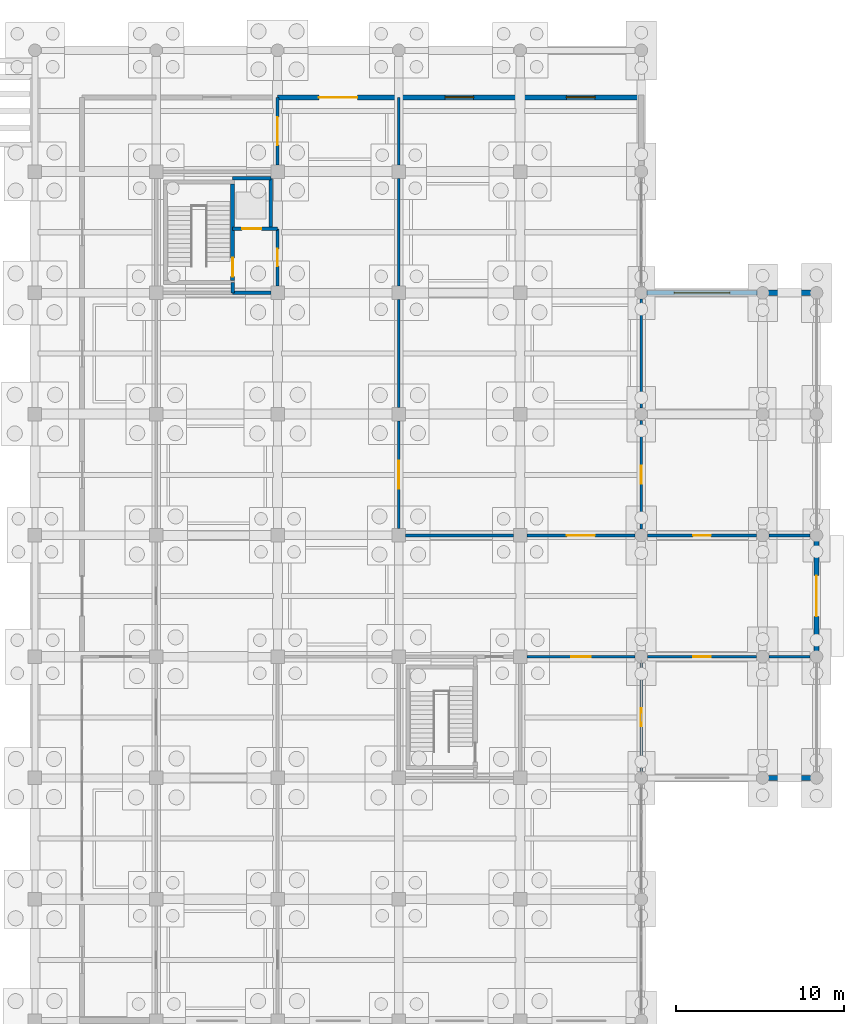
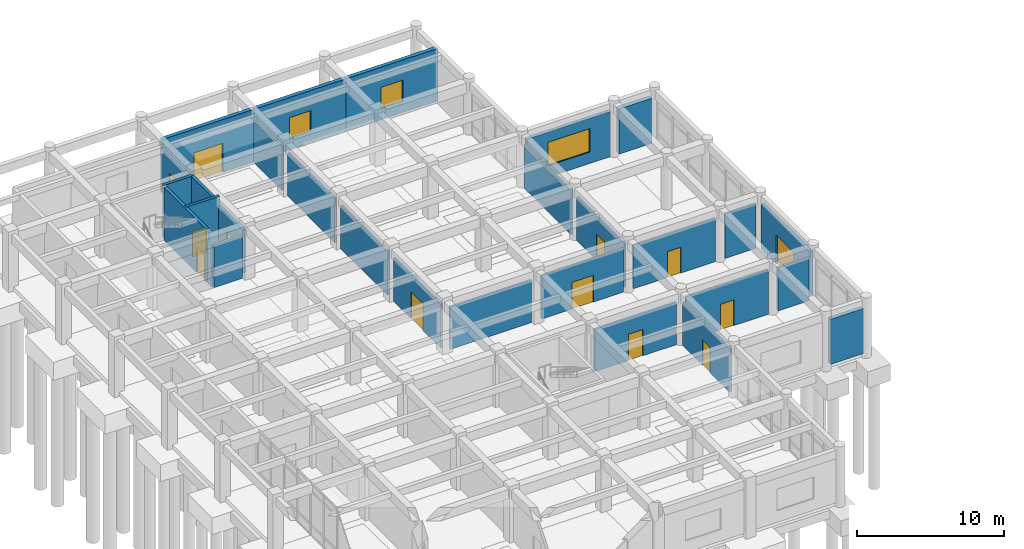
# One storey, part 68 of 79: 29 walls, 13 doors, 3 windows, 16 openings.
"""IFC4 building model written with IfcOpenShell, lengths in metres."""

from ifc_helpers import new_model, si_unit, direction, frame, frame_2d, origin, place, context, subcontext, project, spatial, rectangle, extrude, material, layer, layer_set, type_object, element, fill, save


model = new_model("IFC4")

# Units and contexts
model_context = context("Model", 3, precision=1e-05, world=origin(), true_north=direction((0.0, 1.0)))
body_context = subcontext(model_context, "Body", "Model", "MODEL_VIEW")
ifc_project = project(units=[si_unit("LENGTHUNIT", "METRE"), si_unit("AREAUNIT", "SQUARE_METRE"), si_unit("VOLUMEUNIT", "CUBIC_METRE"), si_unit("PLANEANGLEUNIT", "RADIAN"), si_unit("MASSUNIT", "GRAM", prefix="KILO")], contexts=[model_context])

# Site, building, storey
site_placement = place(None, origin())
site = spatial("IfcSite", under=ifc_project, at=site_placement, CompositionType="ELEMENT")
building_placement = place(site_placement, origin())
building = spatial("IfcBuilding", under=site, at=building_placement, Name="Kavelor Marine Aquarium", CompositionType="ELEMENT")
storey_placement = place(building_placement, origin())
storey = spatial("IfcBuildingStorey", under=building, at=storey_placement, Name="L00", CompositionType="ELEMENT", Elevation=0.0)

# Wall
ifc_material_1 = material(Name="Concrete C45/55", Category="concrete")
ifc_layer_1 = layer(ifc_material_1, 0.320068359375)
ifc_layer_set_1 = layer_set([ifc_layer_1], Name="WL-EX2")
wall_type_1 = type_object("IfcWallType", Name="WL-EX2", PredefinedType="STANDARD", material=ifc_layer_set_1)
wall_1_placement = place(storey_placement, frame((164.489990234375, 67.60009765625, 0.0), z_axis=(0.0, 0.0, 1.0), x_axis=(-1.0, 0.0, 0.0)))
element("IfcWall", 1, at=wall_1_placement, inside=storey, type_object=wall_type_1, Name="ew:x:L00:22_09", PredefinedType="STANDARD", context=body_context, shape_type="SweptSolid", body=[
    extrude(rectangle(XDim=2.580078125, YDim=0.320068359375, at=frame_2d((1.2900390625, 0.0))), origin(), (0.0, 0.0, 1.0), 3.75),
])

# Wall, opening, door
wall_2_placement = place(storey_placement, frame((132.800048828125, 108.0, 0.0), z_axis=(0.0, 0.0, 1.0), x_axis=(1.0, 0.0, 0.0)))
wall_2 = element("IfcWall", 2, at=wall_2_placement, inside=storey, type_object=wall_type_1, Name="ew:arc:v6n:18", PredefinedType="STANDARD", context=body_context, shape_type="SweptSolid", body=[
    extrude(rectangle(XDim=7.199951171875, YDim=0.300048828125, at=frame_2d((3.60009765625, 0.0))), origin(), (0.0, 0.0, 1.0), 4.3701171875),
])
opening_1_placement = place(wall_2_placement, frame((2.4599609375, 0.0, 0.0)))
opening_1 = element("IfcOpeningElement", 3, at=opening_1_placement, cuts=wall_2, Name="Opening ED11", PredefinedType="OPENING", context=body_context, shape_type="SweptSolid", body=[
    extrude(rectangle(XDim=2.280029296875, YDim=2.39990234375, at=frame_2d((1.14013671875, 1.199951171875))), frame((0.0, 0.159912109375, 0.0), z_axis=(0.0, -1.0, 0.0), x_axis=(1.0, 0.0, 0.0)), (0.0, 0.0, 1.0), 0.320049),
])
ifc_material_2 = material(Name="Marine-Grade Anodised Aluminium and Laminated Safety Glass", Category="aluminium")
door_type_1 = type_object("IfcDoorType", Name="DR-ED11", OperationType="NOTDEFINED", PredefinedType="DOOR", material=ifc_material_2)
door_1_placement = place(opening_1_placement, origin())
door_1 = element("IfcDoor", 4, at=door_1_placement, inside=storey, type_object=door_type_1, Name="Research North Arcade Entrance Door ED11", OperationType="DOUBLE_DOOR_SINGLE_SWING", OverallHeight=2.39990234375, OverallWidth=2.280029296875, PredefinedType="DOOR", context=body_context, shape_type="SweptSolid", body=[
    extrude(rectangle(XDim=2.280029296875, YDim=2.39990234375, at=frame_2d((1.14013671875, 1.199951171875))), frame((0.0, 0.02490234375, 0.0), z_axis=(0.0, -1.0, 0.0), x_axis=(1.0, 0.0, 0.0)), (0.0, 0.0, 1.0), 0.050048828125),
])
fill(opening_1, door_1)

# Wall, opening, window
wall_3_placement = place(storey_placement, frame((140.0, 108.0, 0.0), z_axis=(0.0, 0.0, 1.0), x_axis=(1.0, 0.0, 0.0)))
wall_3 = element("IfcWall", 5, at=wall_3_placement, inside=storey, type_object=wall_type_1, Name="ew:arc:v6n:19", PredefinedType="STANDARD", context=body_context, shape_type="SweptSolid", body=[
    extrude(rectangle(XDim=7.199951171875, YDim=0.300048828125, at=frame_2d((3.60009765625, 0.0))), origin(), (0.0, 0.0, 1.0), 4.3701171875),
])
opening_2_placement = place(wall_3_placement, frame((2.75, 0.0, 0.949951171875)))
opening_2 = element("IfcOpeningElement", 6, at=opening_2_placement, cuts=wall_3, Name="Opening W07", PredefinedType="OPENING", context=body_context, shape_type="SweptSolid", body=[
    extrude(rectangle(XDim=1.699951171875, YDim=1.75, at=frame_2d((0.85009765625, 0.875))), frame((0.0, 0.159912109375, 0.0), z_axis=(0.0, -1.0, 0.0), x_axis=(1.0, 0.0, 0.0)), (0.0, 0.0, 1.0), 0.320049),
])
ifc_material_3 = material(Name="Anodised Aluminium Frame with Low-E Double Glazing", Category="aluminium")
window_type_1 = type_object("IfcWindowType", Name="WIN-W07", PartitioningType="SINGLE_PANEL", PredefinedType="WINDOW", material=ifc_material_3)
window_1_placement = place(opening_2_placement, origin())
window_1 = element("IfcWindow", 7, at=window_1_placement, inside=storey, type_object=window_type_1, Name="win:arc:v6n:19", OverallHeight=1.75, OverallWidth=1.699951171875, PartitioningType="SINGLE_PANEL", PredefinedType="WINDOW", context=body_context, shape_type="SweptSolid", body=[
    extrude(rectangle(XDim=1.699951171875, YDim=1.75, at=frame_2d((0.85009765625, 0.875))), frame((0.0, 0.030029296875, 0.0), z_axis=(0.0, -1.0, 0.0), x_axis=(1.0, 0.0, 0.0)), (0.0, 0.0, 1.0), 0.06005859375),
])
fill(opening_2, window_1)

wall_4_placement = place(storey_placement, frame((147.199951171875, 108.0, 0.0), z_axis=(0.0, 0.0, 1.0), x_axis=(1.0, 0.0, 0.0)))
wall_4 = element("IfcWall", 8, at=wall_4_placement, inside=storey, type_object=wall_type_1, Name="ew:arc:v6n:20", PredefinedType="STANDARD", context=body_context, shape_type="SweptSolid", body=[
    extrude(rectangle(XDim=7.199951171875, YDim=0.300048828125, at=frame_2d((3.60009765625, 0.0))), origin(), (0.0, 0.0, 1.0), 4.3701171875),
])
opening_3_placement = place(wall_4_placement, frame((2.75, 0.0, 0.949951171875)))
opening_3 = element("IfcOpeningElement", 9, at=opening_3_placement, cuts=wall_4, Name="Opening W07", PredefinedType="OPENING", context=body_context, shape_type="SweptSolid", body=[
    extrude(rectangle(XDim=1.699951171875, YDim=1.75, at=frame_2d((0.85009765625, 0.875))), frame((0.0, 0.159912109375, 0.0), z_axis=(0.0, -1.0, 0.0), x_axis=(1.0, 0.0, 0.0)), (0.0, 0.0, 1.0), 0.320049),
])
window_2_placement = place(opening_3_placement, origin())
window_2 = element("IfcWindow", 10, at=window_2_placement, inside=storey, type_object=window_type_1, Name="win:arc:v6n:20", OverallHeight=1.75, OverallWidth=1.699951171875, PartitioningType="SINGLE_PANEL", PredefinedType="WINDOW", context=body_context, shape_type="SweptSolid", body=[
    extrude(rectangle(XDim=1.699951171875, YDim=1.75, at=frame_2d((0.85009765625, 0.875))), frame((0.0, 0.030029296875, 0.0), z_axis=(0.0, -1.0, 0.0), x_axis=(1.0, 0.0, 0.0)), (0.0, 0.0, 1.0), 0.06005859375),
])
fill(opening_3, window_2)

# Wall, opening, door
ifc_material_4 = material(Name="Concrete C40/50", Category="concrete")
ifc_layer_2 = layer(ifc_material_4, 0.280029296875)
ifc_layer_set_2 = layer_set([ifc_layer_2], Name="WL-EX4")
wall_type_2 = type_object("IfcWallType", Name="WL-EX4", PredefinedType="STANDARD", material=ifc_layer_set_2)
wall_5_placement = place(storey_placement, frame((164.800048828125, 81.68994140625, 0.0), z_axis=(0.0, 0.0, 1.0), x_axis=(0.0, -1.0, 0.0)))
wall_5 = element("IfcWall", 11, at=wall_5_placement, inside=storey, type_object=wall_type_2, Name="ew:y:L00:23_10", PredefinedType="STANDARD", context=body_context, shape_type="SweptSolid", body=[
    extrude(rectangle(XDim=6.579833984375, YDim=0.280029296875, at=frame_2d((3.2900390625, 0.0))), origin(), (0.0, 0.0, 1.0), 3.75),
])
opening_4_placement = place(wall_5_placement, frame((2.080078125, 0.0, 0.0)))
opening_4 = element("IfcOpeningElement", 12, at=opening_4_placement, cuts=wall_5, Name="Opening ED14", PredefinedType="OPENING", context=body_context, shape_type="SweptSolid", body=[
    extrude(rectangle(XDim=2.419921875, YDim=2.419921875, at=frame_2d((1.2099609375, 1.2099609375))), frame((0.0, 0.14990234375, 0.0), z_axis=(0.0, -1.0, 0.0), x_axis=(1.0, 0.0, 0.0)), (0.0, 0.0, 1.0), 0.300029),
])
ifc_material_5 = material(Name="Marine-Grade Anodised Aluminium and Laminated Safety Glass", Category="aluminium")
door_type_2 = type_object("IfcDoorType", Name="DR-ED14", OperationType="NOTDEFINED", PredefinedType="DOOR", material=ifc_material_5)
door_2_placement = place(opening_4_placement, origin())
door_2 = element("IfcDoor", 13, at=door_2_placement, inside=storey, type_object=door_type_2, Name="Pedestrian Final Exit Door ED14", OperationType="DOUBLE_DOOR_SINGLE_SWING", OverallHeight=2.419921875, OverallWidth=2.419921875, PredefinedType="DOOR", context=body_context, shape_type="SweptSolid", body=[
    extrude(rectangle(XDim=2.419921875, YDim=2.419921875, at=frame_2d((1.2099609375, 1.2099609375))), frame((0.0, 0.02490234375, 0.0), z_axis=(0.0, -1.0, 0.0), x_axis=(1.0, 0.0, 0.0)), (0.0, 0.0, 1.0), 0.050048828125),
])
fill(opening_4, door_2)

# Wall, opening, window
ifc_material_6 = material(Name="Concrete C40/50", Category="concrete")
ifc_layer_3 = layer(ifc_material_6, 0.260009765625)
ifc_layer_set_3 = layer_set([ifc_layer_3], Name="WL-EX5")
wall_type_3 = type_object("IfcWallType", Name="WL-EX5", PredefinedType="STANDARD", material=ifc_layer_set_3)
wall_6_placement = place(storey_placement, frame((154.7099609375, 96.39990234375, 0.0), z_axis=(0.0, 0.0, 1.0), x_axis=(1.0, 0.0, 0.0)))
wall_6 = element("IfcWall", 14, at=wall_6_placement, inside=storey, type_object=wall_type_3, Name="ew:x:L00:21_13", PredefinedType="STANDARD", context=body_context, shape_type="SweptSolid", body=[
    extrude(rectangle(XDim=6.580078125, YDim=0.260009765625, at=frame_2d((3.2900390625, 0.0))), origin(), (0.0, 0.0, 1.0), 3.75),
])
opening_5_placement = place(wall_6_placement, frame((1.639892578125, 0.0, 0.949951171875)))
opening_5 = element("IfcOpeningElement", 15, at=opening_5_placement, cuts=wall_6, Name="Opening W22", PredefinedType="OPENING", context=body_context, shape_type="SweptSolid", body=[
    extrude(rectangle(XDim=3.300048828125, YDim=1.949951171875, at=frame_2d((1.64990234375, 0.97509765625))), frame((0.0, 0.139892578125, 0.0), z_axis=(0.0, -1.0, 0.0), x_axis=(1.0, 0.0, 0.0)), (0.0, 0.0, 1.0), 0.28001),
])
ifc_material_7 = material(Name="Anodised Aluminium Frame with Low-E Double Glazing", Category="aluminium")
window_type_2 = type_object("IfcWindowType", Name="WIN-W22", PartitioningType="DOUBLE_PANEL_VERTICAL", PredefinedType="WINDOW", material=ifc_material_7)
window_3_placement = place(opening_5_placement, origin())
window_3 = element("IfcWindow", 16, at=window_3_placement, inside=storey, type_object=window_type_2, Name="win:x:L00:21_13", OverallHeight=1.949951171875, OverallWidth=3.300048828125, PartitioningType="SINGLE_PANEL", PredefinedType="WINDOW", context=body_context, shape_type="SweptSolid", body=[
    extrude(rectangle(XDim=3.300048828125, YDim=1.949951171875, at=frame_2d((1.64990234375, 0.97509765625))), frame((0.0, 0.030029296875, 0.0), z_axis=(0.0, -1.0, 0.0), x_axis=(1.0, 0.0, 0.0)), (0.0, 0.0, 1.0), 0.06005859375),
])
fill(opening_5, window_3)

# Walls
ifc_material_8 = material(Name="Concrete C45/55", Category="concrete")
ifc_layer_4 = layer(ifc_material_8, 0.340087890625)
ifc_layer_set_4 = layer_set([ifc_layer_4], Name="WL-EX6")
wall_type_4 = type_object("IfcWallType", Name="WL-EX6", PredefinedType="STANDARD", material=ifc_layer_set_4)
wall_7_placement = place(storey_placement, frame((161.909912109375, 96.39990234375, 0.0), z_axis=(0.0, 0.0, 1.0), x_axis=(1.0, 0.0, 0.0)))
element("IfcWall", 17, at=wall_7_placement, inside=storey, type_object=wall_type_4, Name="ew:x:L00:22_13", PredefinedType="STANDARD", context=body_context, shape_type="SweptSolid", body=[
    extrude(rectangle(XDim=2.580078125, YDim=0.340087890625, at=frame_2d((1.2900390625, 0.0))), origin(), (0.0, 0.0, 1.0), 3.75),
])
ifc_material_9 = material(Name="Concrete Blockwork Partition", Category="masonry")
ifc_layer_5 = layer(ifc_material_9, 0.199951171875)
ifc_layer_set_5 = layer_set([ifc_layer_5], Name="WL-PT1")
wall_type_5 = type_object("IfcWallType", Name="WL-PT1", PredefinedType="PARTITIONING", material=ifc_layer_set_5)
wall_8_placement = place(storey_placement, frame((130.139892578125, 96.39990234375, 0.0), z_axis=(0.0, 0.0, 1.0), x_axis=(0.0, 1.0, 0.0)))
element("IfcWall", 18, at=wall_8_placement, inside=storey, type_object=wall_type_5, Name="pt:st_close:s:C10:L00", PredefinedType="PARTITIONING", context=body_context, shape_type="SweptSolid", body=[
    extrude(rectangle(XDim=0.6201171875, YDim=0.199951171875, at=frame_2d((0.31005859375, 0.0))), origin(), (0.0, 0.0, 1.0), 3.52001953125),
])

# Wall, opening, door
wall_9_placement = place(storey_placement, frame((132.800048828125, 96.800048828125, 0.0), z_axis=(0.0, 0.0, 1.0), x_axis=(0.0, 1.0, 0.0)))
wall_9 = element("IfcWall", 19, at=wall_9_placement, inside=storey, type_object=wall_type_5, Name="pt:lob:C10:L00:e", PredefinedType="PARTITIONING", context=body_context, shape_type="SweptSolid", body=[
    extrude(rectangle(XDim=3.39990234375, YDim=0.199951171875, at=frame_2d((1.699951171875, 0.0))), origin(), (0.0, 0.0, 1.0), 3.6201171875),
])
opening_6_placement = place(wall_9_placement, frame((1.18994140625, 0.0, 0.0)))
opening_6 = element("IfcOpeningElement", 20, at=opening_6_placement, cuts=wall_9, Name="Opening SD1", PredefinedType="OPENING", context=body_context, shape_type="SweptSolid", body=[
    extrude(rectangle(XDim=1.02001953125, YDim=2.14990234375, at=frame_2d((0.510009765625, 1.074951171875))), frame((0.0, 0.10986328125, 0.0), z_axis=(0.0, -1.0, 0.0), x_axis=(1.0, 0.0, 0.0)), (0.0, 0.0, 1.0), 0.219951),
])
ifc_material_10 = material(Name="Fire-Rated Corridor Compartment Door")
door_type_3 = type_object("IfcDoorType", Name="DR-SD1", OperationType="NOTDEFINED", PredefinedType="DOOR", material=ifc_material_10)
door_3_placement = place(opening_6_placement, origin())
door_3 = element("IfcDoor", 21, at=door_3_placement, inside=storey, type_object=door_type_3, Name="Core Lobby Fire Door C10-L00", OperationType="SINGLE_SWING_RIGHT", OverallHeight=2.14990234375, OverallWidth=1.02001953125, PredefinedType="DOOR", context=body_context, shape_type="SweptSolid", body=[
    extrude(rectangle(XDim=1.02001953125, YDim=2.14990234375, at=frame_2d((0.510009765625, 1.074951171875))), frame((0.0, 0.02490234375, 0.0), z_axis=(0.0, -1.0, 0.0), x_axis=(1.0, 0.0, 0.0)), (0.0, 0.0, 1.0), 0.050048828125),
])
fill(opening_6, door_3)

# Wall
wall_10_placement = place(storey_placement, frame((130.139892578125, 96.39990234375, 0.0), z_axis=(0.0, 0.0, 1.0), x_axis=(1.0, 0.0, 0.0)))
element("IfcWall", 22, at=wall_10_placement, inside=storey, type_object=wall_type_5, Name="pt:lob:C10:L00:s", PredefinedType="PARTITIONING", context=body_context, shape_type="SweptSolid", body=[
    extrude(rectangle(XDim=2.260009765625, YDim=0.199951171875, at=frame_2d((1.1298828125, 0.0))), origin(), (0.0, 0.0, 1.0), 3.52001953125),
])

# Wall, opening, door
ifc_material_11 = material(Name="Acoustic Gypsum Stud Partition")
ifc_layer_6 = layer(ifc_material_11, 0.159912109375)
ifc_layer_set_6 = layer_set([ifc_layer_6], Name="WL-PT2")
wall_type_6 = type_object("IfcWallType", Name="WL-PT2", PredefinedType="PARTITIONING", material=ifc_layer_set_6)
wall_11_placement = place(storey_placement, frame((132.800048828125, 104.0, 0.0), z_axis=(0.0, 0.0, 1.0), x_axis=(0.0, 1.0, 0.0)))
wall_11 = element("IfcWall", 23, at=wall_11_placement, inside=storey, type_object=wall_type_6, Name="pt:y:L00:17_14", PredefinedType="PARTITIONING", context=body_context, shape_type="SweptSolid", body=[
    extrude(rectangle(XDim=4.0, YDim=0.159912109375, at=frame_2d((2.0, 0.0))), origin(), (0.0, 0.0, 1.0), 3.6201171875),
])
opening_7_placement = place(wall_11_placement, frame((1.169921875, 0.0, 0.0)))
opening_7 = element("IfcOpeningElement", 24, at=opening_7_placement, cuts=wall_11, Name="Opening D12", PredefinedType="OPENING", context=body_context, shape_type="SweptSolid", body=[
    extrude(rectangle(XDim=1.659912109375, YDim=2.219970703125, at=frame_2d((0.830078125, 1.10986328125))), frame((0.0, 0.08984375, 0.0), z_axis=(0.0, -1.0, 0.0), x_axis=(1.0, 0.0, 0.0)), (0.0, 0.0, 1.0), 0.179912),
])
ifc_material_12 = material(Name="Amphitheatre Vestibule Double Door")
door_type_4 = type_object("IfcDoorType", Name="DR-D12", OperationType="NOTDEFINED", PredefinedType="DOOR", material=ifc_material_12)
door_4_placement = place(opening_7_placement, origin())
door_4 = element("IfcDoor", 25, at=door_4_placement, inside=storey, type_object=door_type_4, Name="dr:rm:pt:y:L00:17_14:1", OperationType="DOUBLE_DOOR_SINGLE_SWING", OverallHeight=2.219970703125, OverallWidth=1.659912109375, PredefinedType="DOOR", context=body_context, shape_type="SweptSolid", body=[
    extrude(rectangle(XDim=1.659912109375, YDim=2.219970703125, at=frame_2d((0.830078125, 1.10986328125))), frame((0.0, 0.02490234375, 0.0), z_axis=(0.0, -1.0, 0.0), x_axis=(1.0, 0.0, 0.0)), (0.0, 0.0, 1.0), 0.050048828125),
])
fill(opening_7, door_4)

wall_12_placement = place(storey_placement, frame((140.0, 82.39990234375, 0.0), z_axis=(0.0, 0.0, 1.0), x_axis=(0.0, 1.0, 0.0)))
wall_12 = element("IfcWall", 26, at=wall_12_placement, inside=storey, type_object=wall_type_6, Name="pt:y:L00:18_11", PredefinedType="PARTITIONING", context=body_context, shape_type="SweptSolid", body=[
    extrude(rectangle(XDim=6.400146484375, YDim=0.159912109375, at=frame_2d((3.2001953125, 0.0))), origin(), (0.0, 0.0, 1.0), 3.6201171875),
])
opening_8_placement = place(wall_12_placement, frame((2.3701171875, 0.0, 0.0)))
opening_8 = element("IfcOpeningElement", 27, at=opening_8_placement, cuts=wall_12, Name="Opening D12", PredefinedType="OPENING", context=body_context, shape_type="SweptSolid", body=[
    extrude(rectangle(XDim=1.659912109375, YDim=2.219970703125, at=frame_2d((0.830078125, 1.10986328125))), frame((0.0, 0.08984375, 0.0), z_axis=(0.0, -1.0, 0.0), x_axis=(1.0, 0.0, 0.0)), (0.0, 0.0, 1.0), 0.179912),
])
door_5_placement = place(opening_8_placement, origin())
door_5 = element("IfcDoor", 28, at=door_5_placement, inside=storey, type_object=door_type_4, Name="dr:rm:pt:y:L00:18_11:0", OperationType="DOUBLE_DOOR_SINGLE_SWING", OverallHeight=2.219970703125, OverallWidth=1.659912109375, PredefinedType="DOOR", context=body_context, shape_type="SweptSolid", body=[
    extrude(rectangle(XDim=1.659912109375, YDim=2.219970703125, at=frame_2d((0.830078125, 1.10986328125))), frame((0.0, 0.02490234375, 0.0), z_axis=(0.0, -1.0, 0.0), x_axis=(1.0, 0.0, 0.0)), (0.0, 0.0, 1.0), 0.050048828125),
])
fill(opening_8, door_5)

# Walls
for number, where, z_axis, x_axis, name in (
    (29, (140.0, 89.60009765625, 0.0), (0.0, 0.0, 1.0), (0.0, 1.0, 0.0), "pt:y:L00:18_12"),
    (30, (140.0, 96.800048828125, 0.0), (0.0, 0.0, 1.0), (0.0, 1.0, 0.0), "pt:y:L00:18_13"),
):
    element("IfcWall", number, at=place(storey_placement, frame(where, z_axis=z_axis, x_axis=x_axis)), inside=storey, type_object=wall_type_6, Name=name, PredefinedType="PARTITIONING", context=body_context, shape_type="SweptSolid", body=[
        extrude(rectangle(XDim=6.39990234375, YDim=0.159912109375, at=frame_2d((3.199951171875, 0.0))), origin(), (0.0, 0.0, 1.0), 3.6201171875),
    ])
wall_13_placement = place(storey_placement, frame((140.0, 104.0, 0.0), z_axis=(0.0, 0.0, 1.0), x_axis=(0.0, 1.0, 0.0)))
element("IfcWall", 31, at=wall_13_placement, inside=storey, type_object=wall_type_6, Name="pt:y:L00:18_14", PredefinedType="PARTITIONING", context=body_context, shape_type="SweptSolid", body=[
    extrude(rectangle(XDim=4.0, YDim=0.159912109375, at=frame_2d((2.0, 0.0))), origin(), (0.0, 0.0, 1.0), 3.6201171875),
])
wall_14_placement = place(storey_placement, frame((140.39990234375, 82.0, 0.0), z_axis=(0.0, 0.0, 1.0), x_axis=(1.0, 0.0, 0.0)))
element("IfcWall", 32, at=wall_14_placement, inside=storey, type_object=wall_type_6, Name="pt:x:L00:19_10", PredefinedType="PARTITIONING", context=body_context, shape_type="SweptSolid", body=[
    extrude(rectangle(XDim=6.400146484375, YDim=0.159912109375, at=frame_2d((3.2001953125, 0.0))), origin(), (0.0, 0.0, 1.0), 3.52001953125),
])

# Wall, opening, door
wall_15_placement = place(storey_placement, frame((154.39990234375, 67.97509765625, 0.0), z_axis=(0.0, 0.0, 1.0), x_axis=(0.0, 1.0, 0.0)))
wall_15 = element("IfcWall", 33, at=wall_15_placement, inside=storey, type_object=wall_type_6, Name="pt:y:L00:20_09", PredefinedType="PARTITIONING", context=body_context, shape_type="SweptSolid", body=[
    extrude(rectangle(XDim=6.449951171875, YDim=0.159912109375, at=frame_2d((3.22509765625, 0.0))), origin(), (0.0, 0.0, 1.0), 3.6201171875),
])
opening_9_placement = place(wall_15_placement, frame((2.699951171875, 0.0, 0.0)))
opening_9 = element("IfcOpeningElement", 34, at=opening_9_placement, cuts=wall_15, Name="Opening D05", PredefinedType="OPENING", context=body_context, shape_type="SweptSolid", body=[
    extrude(rectangle(XDim=1.050048828125, YDim=2.139892578125, at=frame_2d((0.52490234375, 1.06982421875))), frame((0.0, 0.08984375, 0.0), z_axis=(0.0, -1.0, 0.0), x_axis=(1.0, 0.0, 0.0)), (0.0, 0.0, 1.0), 0.179912),
])
ifc_material_13 = material(Name="Classroom Vision-Panel Timber Door", Category="wood")
door_type_5 = type_object("IfcDoorType", Name="DR-D05", OperationType="NOTDEFINED", PredefinedType="DOOR", material=ifc_material_13)
door_6_placement = place(opening_9_placement, origin())
door_6 = element("IfcDoor", 35, at=door_6_placement, inside=storey, type_object=door_type_5, Name="dr:rm:pt:y:L00:20_09:0", OperationType="SINGLE_SWING_LEFT", OverallHeight=2.139892578125, OverallWidth=1.050048828125, PredefinedType="DOOR", context=body_context, shape_type="SweptSolid", body=[
    extrude(rectangle(XDim=1.050048828125, YDim=2.139892578125, at=frame_2d((0.52490234375, 1.06982421875))), frame((0.0, 0.02490234375, 0.0), z_axis=(0.0, -1.0, 0.0), x_axis=(1.0, 0.0, 0.0)), (0.0, 0.0, 1.0), 0.050048828125),
])
fill(opening_9, door_6)

wall_16_placement = place(storey_placement, frame((147.60009765625, 74.800048828125, 0.0), z_axis=(0.0, 0.0, 1.0), x_axis=(1.0, 0.0, 0.0)))
wall_16 = element("IfcWall", 36, at=wall_16_placement, inside=storey, type_object=wall_type_6, Name="pt:x:L00:20_09", PredefinedType="PARTITIONING", context=body_context, shape_type="SweptSolid", body=[
    extrude(rectangle(XDim=6.4248046875, YDim=0.159912109375, at=frame_2d((3.21240234375, 0.0))), origin(), (0.0, 0.0, 1.0), 3.52001953125),
])
opening_10_placement = place(wall_16_placement, frame((2.632568359375, 0.0, 0.0)))
opening_10 = element("IfcOpeningElement", 37, at=opening_10_placement, cuts=wall_16, Name="Opening D09", PredefinedType="OPENING", context=body_context, shape_type="SweptSolid", body=[
    extrude(rectangle(XDim=1.159912109375, YDim=2.179931640625, at=frame_2d((0.580078125, 1.08984375))), frame((0.0, 0.08984375, 0.0), z_axis=(0.0, -1.0, 0.0), x_axis=(1.0, 0.0, 0.0)), (0.0, 0.0, 1.0), 0.179912),
])
ifc_material_14 = material(Name="Husbandry Prep Marine Door")
door_type_6 = type_object("IfcDoorType", Name="DR-D09", OperationType="NOTDEFINED", PredefinedType="DOOR", material=ifc_material_14)
door_7_placement = place(opening_10_placement, origin())
door_7 = element("IfcDoor", 38, at=door_7_placement, inside=storey, type_object=door_type_6, Name="dr:rm:pt:x:L00:20_09:1", OperationType="SINGLE_SWING_RIGHT", OverallHeight=2.179931640625, OverallWidth=1.159912109375, PredefinedType="DOOR", context=body_context, shape_type="SweptSolid", body=[
    extrude(rectangle(XDim=1.159912109375, YDim=2.179931640625, at=frame_2d((0.580078125, 1.08984375))), frame((0.0, 0.02490234375, 0.0), z_axis=(0.0, -1.0, 0.0), x_axis=(1.0, 0.0, 0.0)), (0.0, 0.0, 1.0), 0.050048828125),
])
fill(opening_10, door_7)

wall_17_placement = place(storey_placement, frame((147.60009765625, 82.0, 0.0), z_axis=(0.0, 0.0, 1.0), x_axis=(1.0, 0.0, 0.0)))
wall_17 = element("IfcWall", 39, at=wall_17_placement, inside=storey, type_object=wall_type_6, Name="pt:x:L00:20_10", PredefinedType="PARTITIONING", context=body_context, shape_type="SweptSolid", body=[
    extrude(rectangle(XDim=6.4248046875, YDim=0.159912109375, at=frame_2d((3.21240234375, 0.0))), origin(), (0.0, 0.0, 1.0), 3.6201171875),
])
opening_11_placement = place(wall_17_placement, frame((2.382568359375, 0.0, 0.0)))
opening_11 = element("IfcOpeningElement", 40, at=opening_11_placement, cuts=wall_17, Name="Opening D12", PredefinedType="OPENING", context=body_context, shape_type="SweptSolid", body=[
    extrude(rectangle(XDim=1.659912109375, YDim=2.219970703125, at=frame_2d((0.830078125, 1.10986328125))), frame((0.0, 0.08984375, 0.0), z_axis=(0.0, -1.0, 0.0), x_axis=(1.0, 0.0, 0.0)), (0.0, 0.0, 1.0), 0.179912),
])
door_8_placement = place(opening_11_placement, origin())
door_8 = element("IfcDoor", 41, at=door_8_placement, inside=storey, type_object=door_type_4, Name="dr:rm:pt:x:L00:20_10:1", OperationType="DOUBLE_DOOR_SINGLE_SWING", OverallHeight=2.219970703125, OverallWidth=1.659912109375, PredefinedType="DOOR", context=body_context, shape_type="SweptSolid", body=[
    extrude(rectangle(XDim=1.659912109375, YDim=2.219970703125, at=frame_2d((0.830078125, 1.10986328125))), frame((0.0, 0.02490234375, 0.0), z_axis=(0.0, -1.0, 0.0), x_axis=(1.0, 0.0, 0.0)), (0.0, 0.0, 1.0), 0.050048828125),
])
fill(opening_11, door_8)

wall_18_placement = place(storey_placement, frame((154.39990234375, 82.375, 0.0), z_axis=(0.0, 0.0, 1.0), x_axis=(0.0, 1.0, 0.0)))
wall_18 = element("IfcWall", 42, at=wall_18_placement, inside=storey, type_object=wall_type_6, Name="pt:y:L00:20_11", PredefinedType="PARTITIONING", context=body_context, shape_type="SweptSolid", body=[
    extrude(rectangle(XDim=6.449951171875, YDim=0.159912109375, at=frame_2d((3.22509765625, 0.0))), origin(), (0.0, 0.0, 1.0), 3.6201171875),
])
opening_12_placement = place(wall_18_placement, frame((2.699951171875, 0.0, 0.0)))
opening_12 = element("IfcOpeningElement", 43, at=opening_12_placement, cuts=wall_18, Name="Opening D05", PredefinedType="OPENING", context=body_context, shape_type="SweptSolid", body=[
    extrude(rectangle(XDim=1.050048828125, YDim=2.139892578125, at=frame_2d((0.52490234375, 1.06982421875))), frame((0.0, 0.08984375, 0.0), z_axis=(0.0, -1.0, 0.0), x_axis=(1.0, 0.0, 0.0)), (0.0, 0.0, 1.0), 0.179912),
])
door_9_placement = place(opening_12_placement, origin())
door_9 = element("IfcDoor", 44, at=door_9_placement, inside=storey, type_object=door_type_5, Name="dr:rm:pt:y:L00:20_11:0", OperationType="SINGLE_SWING_RIGHT", OverallHeight=2.139892578125, OverallWidth=1.050048828125, PredefinedType="DOOR", context=body_context, shape_type="SweptSolid", body=[
    extrude(rectangle(XDim=1.050048828125, YDim=2.139892578125, at=frame_2d((0.52490234375, 1.06982421875))), frame((0.0, 0.02490234375, 0.0), z_axis=(0.0, -1.0, 0.0), x_axis=(1.0, 0.0, 0.0)), (0.0, 0.0, 1.0), 0.050048828125),
])
fill(opening_12, door_9)

# Wall
wall_19_placement = place(storey_placement, frame((154.39990234375, 89.574951171875, 0.0), z_axis=(0.0, 0.0, 1.0), x_axis=(0.0, 1.0, 0.0)))
element("IfcWall", 45, at=wall_19_placement, inside=storey, type_object=wall_type_6, Name="pt:y:L00:20_12", PredefinedType="PARTITIONING", context=body_context, shape_type="SweptSolid", body=[
    extrude(rectangle(XDim=6.449951171875, YDim=0.159912109375, at=frame_2d((3.22509765625, 0.0))), origin(), (0.0, 0.0, 1.0), 3.6201171875),
])

# Wall, opening, door
wall_20_placement = place(storey_placement, frame((154.77490234375, 74.800048828125, 0.0), z_axis=(0.0, 0.0, 1.0), x_axis=(1.0, 0.0, 0.0)))
wall_20 = element("IfcWall", 46, at=wall_20_placement, inside=storey, type_object=wall_type_6, Name="pt:x:L00:21_09", PredefinedType="PARTITIONING", context=body_context, shape_type="SweptSolid", body=[
    extrude(rectangle(XDim=6.4501953125, YDim=0.159912109375, at=frame_2d((3.22509765625, 0.0))), origin(), (0.0, 0.0, 1.0), 3.699951171875),
])
opening_13_placement = place(wall_20_placement, frame((2.699951171875, 0.0, 0.0)))
opening_13 = element("IfcOpeningElement", 47, at=opening_13_placement, cuts=wall_20, Name="Opening D05", PredefinedType="OPENING", context=body_context, shape_type="SweptSolid", body=[
    extrude(rectangle(XDim=1.050048828125, YDim=2.139892578125, at=frame_2d((0.52490234375, 1.06982421875))), frame((0.0, 0.08984375, 0.0), z_axis=(0.0, -1.0, 0.0), x_axis=(1.0, 0.0, 0.0)), (0.0, 0.0, 1.0), 0.179912),
])
door_10_placement = place(opening_13_placement, origin())
door_10 = element("IfcDoor", 48, at=door_10_placement, inside=storey, type_object=door_type_5, Name="dr:rm:pt:x:L00:21_09:0", OperationType="SINGLE_SWING_LEFT", OverallHeight=2.139892578125, OverallWidth=1.050048828125, PredefinedType="DOOR", context=body_context, shape_type="SweptSolid", body=[
    extrude(rectangle(XDim=1.050048828125, YDim=2.139892578125, at=frame_2d((0.52490234375, 1.06982421875))), frame((0.0, 0.02490234375, 0.0), z_axis=(0.0, -1.0, 0.0), x_axis=(1.0, 0.0, 0.0)), (0.0, 0.0, 1.0), 0.050048828125),
])
fill(opening_13, door_10)

wall_21_placement = place(storey_placement, frame((154.77490234375, 82.0, 0.0), z_axis=(0.0, 0.0, 1.0), x_axis=(1.0, 0.0, 0.0)))
wall_21 = element("IfcWall", 49, at=wall_21_placement, inside=storey, type_object=wall_type_6, Name="pt:x:L00:21_10", PredefinedType="PARTITIONING", context=body_context, shape_type="SweptSolid", body=[
    extrude(rectangle(XDim=6.4501953125, YDim=0.159912109375, at=frame_2d((3.22509765625, 0.0))), origin(), (0.0, 0.0, 1.0), 3.60009765625),
])
opening_14_placement = place(wall_21_placement, frame((2.699951171875, 0.0, 0.0)))
opening_14 = element("IfcOpeningElement", 50, at=opening_14_placement, cuts=wall_21, Name="Opening D05", PredefinedType="OPENING", context=body_context, shape_type="SweptSolid", body=[
    extrude(rectangle(XDim=1.050048828125, YDim=2.139892578125, at=frame_2d((0.52490234375, 1.06982421875))), frame((0.0, 0.08984375, 0.0), z_axis=(0.0, -1.0, 0.0), x_axis=(1.0, 0.0, 0.0)), (0.0, 0.0, 1.0), 0.179912),
])
door_11_placement = place(opening_14_placement, origin())
door_11 = element("IfcDoor", 51, at=door_11_placement, inside=storey, type_object=door_type_5, Name="dr:rm:pt:x:L00:21_10:0", OperationType="SINGLE_SWING_RIGHT", OverallHeight=2.139892578125, OverallWidth=1.050048828125, PredefinedType="DOOR", context=body_context, shape_type="SweptSolid", body=[
    extrude(rectangle(XDim=1.050048828125, YDim=2.139892578125, at=frame_2d((0.52490234375, 1.06982421875))), frame((0.0, 0.02490234375, 0.0), z_axis=(0.0, -1.0, 0.0), x_axis=(1.0, 0.0, 0.0)), (0.0, 0.0, 1.0), 0.050048828125),
])
fill(opening_14, door_11)

# Walls
wall_22_placement = place(storey_placement, frame((161.97509765625, 74.800048828125, 0.0), z_axis=(0.0, 0.0, 1.0), x_axis=(1.0, 0.0, 0.0)))
element("IfcWall", 52, at=wall_22_placement, inside=storey, type_object=wall_type_6, Name="pt:x:L00:22_09", PredefinedType="PARTITIONING", context=body_context, shape_type="SweptSolid", body=[
    extrude(rectangle(XDim=2.449951171875, YDim=0.159912109375, at=frame_2d((1.22509765625, 0.0))), origin(), (0.0, 0.0, 1.0), 3.60009765625),
])
wall_23_placement = place(storey_placement, frame((161.97509765625, 82.0, 0.0), z_axis=(0.0, 0.0, 1.0), x_axis=(1.0, 0.0, 0.0)))
element("IfcWall", 53, at=wall_23_placement, inside=storey, type_object=wall_type_6, Name="pt:x:L00:22_10", PredefinedType="PARTITIONING", context=body_context, shape_type="SweptSolid", body=[
    extrude(rectangle(XDim=2.449951171875, YDim=0.159912109375, at=frame_2d((1.22509765625, 0.0))), origin(), (0.0, 0.0, 1.0), 3.699951171875),
])

# Wall, opening, door
ifc_material_15 = material(Name="Concrete C40/50", Category="concrete")
ifc_layer_7 = layer(ifc_material_15, 0.35009765625)
ifc_layer_set_7 = layer_set([ifc_layer_7], Name="WL-SW2")
wall_type_7 = type_object("IfcWallType", Name="WL-SW2", PredefinedType="SHEAR", material=ifc_layer_set_7)
wall_24_placement = place(storey_placement, frame((130.139892578125, 97.139892578125, 0.0), z_axis=(0.0, 0.0, 1.0), x_axis=(0.0, 1.0, 0.0)))
wall_24 = element("IfcWall", 54, at=wall_24_placement, inside=storey, type_object=wall_type_7, Name="cw_st:e:C10:L00", PredefinedType="SHEAR", context=body_context, shape_type="SweptSolid", body=[
    extrude(rectangle(XDim=5.72021484375, YDim=0.239990234375, at=frame_2d((2.860107421875, 0.0))), origin(), (0.0, 0.0, 1.0), 4.3798828125),
])
opening_15_placement = place(wall_24_placement, frame((0.219970703125, 0.0, 0.0)))
opening_15 = element("IfcOpeningElement", 55, at=opening_15_placement, cuts=wall_24, Name="Opening FD1", PredefinedType="OPENING", context=body_context, shape_type="SweptSolid", body=[
    extrude(rectangle(XDim=1.1201171875, YDim=2.14990234375, at=frame_2d((0.56005859375, 1.074951171875))), frame((0.0, 0.1298828125, 0.0), z_axis=(0.0, -1.0, 0.0), x_axis=(1.0, 0.0, 0.0)), (0.0, 0.0, 1.0), 0.25999),
])
ifc_material_16 = material(Name="Fire-Rated Steel Stair and Core Door", Category="steel")
door_type_7 = type_object("IfcDoorType", Name="DR-FD1", OperationType="NOTDEFINED", PredefinedType="DOOR", material=ifc_material_16)
door_12_placement = place(opening_15_placement, origin())
door_12 = element("IfcDoor", 56, at=door_12_placement, inside=storey, type_object=door_type_7, Name="Stair Fire Door ST10-L00", OperationType="SINGLE_SWING_LEFT", OverallHeight=2.14990234375, OverallWidth=1.1201171875, PredefinedType="DOOR", context=body_context, shape_type="SweptSolid", body=[
    extrude(rectangle(XDim=1.1201171875, YDim=2.14990234375, at=frame_2d((0.56005859375, 1.074951171875))), frame((0.0, 0.02490234375, 0.0), z_axis=(0.0, -1.0, 0.0), x_axis=(1.0, 0.0, 0.0)), (0.0, 0.0, 1.0), 0.050048828125),
])
fill(opening_15, door_12)

wall_25_placement = place(storey_placement, frame((130.139892578125, 100.199951171875, 0.0), z_axis=(0.0, 0.0, 1.0), x_axis=(1.0, 0.0, 0.0)))
wall_25 = element("IfcWall", 57, at=wall_25_placement, inside=storey, type_object=wall_type_7, Name="cw_lf:s:C10:L00", PredefinedType="SHEAR", context=body_context, shape_type="SweptSolid", body=[
    extrude(rectangle(XDim=2.66015625, YDim=0.219970703125, at=frame_2d((1.330078125, 0.0))), origin(), (0.0, 0.0, 1.0), 4.3798828125),
])
opening_16_placement = place(wall_25_placement, frame((0.56005859375, 0.0, 0.0)))
opening_16 = element("IfcOpeningElement", 58, at=opening_16_placement, cuts=wall_25, Name="Opening LD1", PredefinedType="OPENING", context=body_context, shape_type="SweptSolid", body=[
    extrude(rectangle(XDim=1.139892578125, YDim=2.14990234375, at=frame_2d((0.56982421875, 1.074951171875))), frame((0.0, 0.119873046875, 0.0), z_axis=(0.0, -1.0, 0.0), x_axis=(1.0, 0.0, 0.0)), (0.0, 0.0, 1.0), 0.239971),
])
ifc_material_17 = material(Name="Stainless Steel Lift Landing Sliding Door", Category="steel")
door_type_8 = type_object("IfcDoorType", Name="DR-LD1", OperationType="NOTDEFINED", PredefinedType="DOOR", material=ifc_material_17)
door_13_placement = place(opening_16_placement, origin())
door_13 = element("IfcDoor", 59, at=door_13_placement, inside=storey, type_object=door_type_8, Name="Lift Landing Sliding Door EL3-L00", OperationType="SLIDING_TO_LEFT", OverallHeight=2.14990234375, OverallWidth=1.139892578125, PredefinedType="DOOR", context=body_context, shape_type="SweptSolid", body=[
    extrude(rectangle(XDim=1.139892578125, YDim=2.14990234375, at=frame_2d((0.56982421875, 1.074951171875))), frame((0.0, 0.02490234375, 0.0), z_axis=(0.0, -1.0, 0.0), x_axis=(1.0, 0.0, 0.0)), (0.0, 0.0, 1.0), 0.050048828125),
])
fill(opening_16, door_13)

# Walls
wall_26_placement = place(storey_placement, frame((130.139892578125, 103.199951171875, 0.0), z_axis=(0.0, 0.0, 1.0), x_axis=(1.0, 0.0, 0.0)))
element("IfcWall", 60, at=wall_26_placement, inside=storey, type_object=wall_type_7, Name="cw_lf:n:C10:L00", PredefinedType="SHEAR", context=body_context, shape_type="SweptSolid", body=[
    extrude(rectangle(XDim=2.260009765625, YDim=0.219970703125, at=frame_2d((1.1298828125, 0.0))), origin(), (0.0, 0.0, 1.0), 4.3798828125),
])
wall_27_placement = place(storey_placement, frame((132.39990234375, 100.199951171875, 0.0), z_axis=(0.0, 0.0, 1.0), x_axis=(0.0, 1.0, 0.0)))
element("IfcWall", 61, at=wall_27_placement, inside=storey, type_object=wall_type_7, Name="cw_lf:e:C10:L00", PredefinedType="SHEAR", context=body_context, shape_type="SweptSolid", body=[
    extrude(rectangle(XDim=3.0, YDim=0.219970703125, at=frame_2d((1.5, 0.0))), origin(), (0.0, 0.0, 1.0), 4.3798828125),
])

save(model, "model.ifc")
